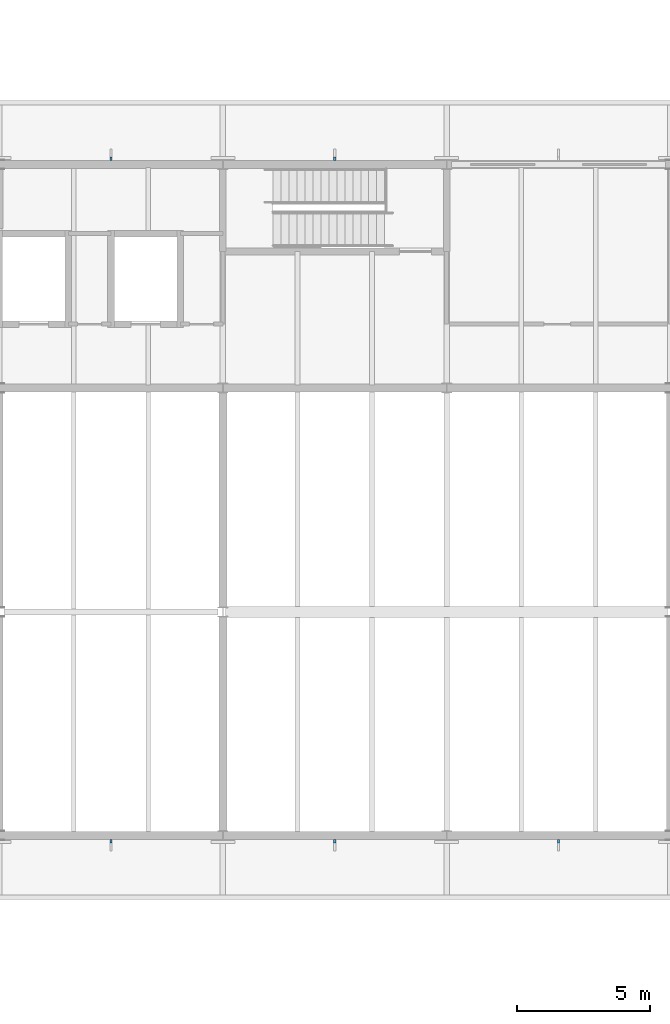
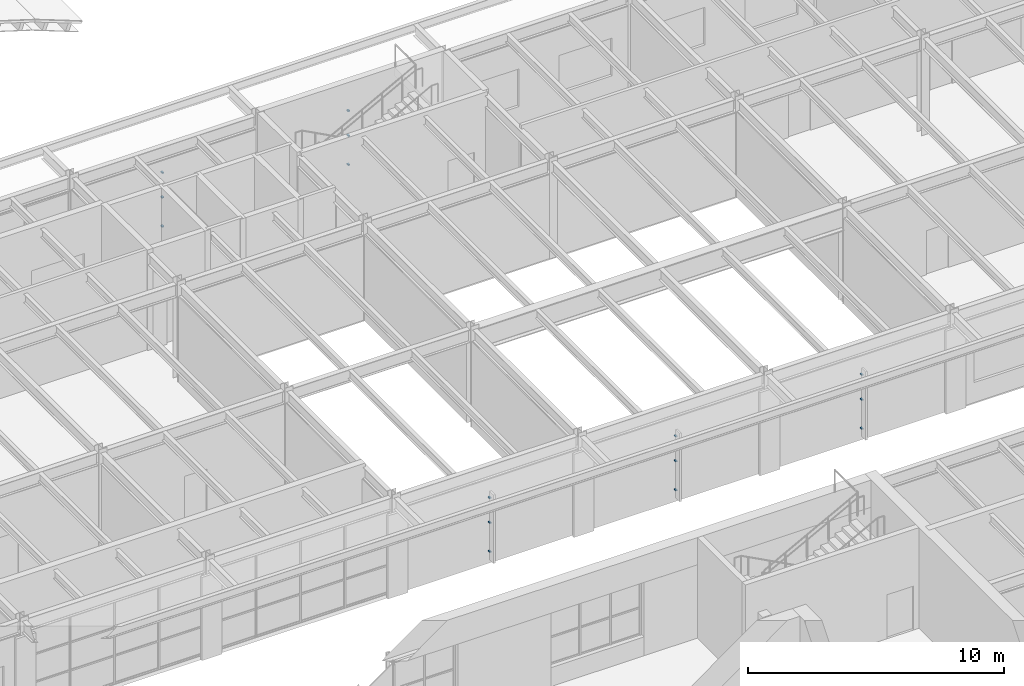
# One storey, part 99 of 116: 15 discrete accessories.
"""IFC4 building model written with IfcOpenShell, lengths in metres."""

from ifc_helpers import new_model, si_unit, direction, frame, origin, origin_2d, place, context, subcontext, project, spatial, rectangle, extrude, material, type_object, element, save


model = new_model("IFC4")

# Units and contexts
model_context = context("Model", 3, precision=1e-05, world=origin(), true_north=direction((0.0, 1.0)))
body_context = subcontext(model_context, "Body", "Model", "MODEL_VIEW")
ifc_project = project(units=[si_unit("LENGTHUNIT", "METRE"), si_unit("AREAUNIT", "SQUARE_METRE"), si_unit("VOLUMEUNIT", "CUBIC_METRE"), si_unit("PLANEANGLEUNIT", "RADIAN"), si_unit("MASSUNIT", "GRAM", prefix="KILO")], contexts=[model_context])

# Site, building, storey
site_placement = place(None, origin())
site = spatial("IfcSite", under=ifc_project, at=site_placement, CompositionType="ELEMENT")
building_placement = place(site_placement, origin())
building = spatial("IfcBuilding", under=site, at=building_placement, Name="Ljudholm Concert House", CompositionType="ELEMENT")
storey_placement = place(building_placement, frame((0.0, 0.0, 10.199951171875)))
storey = spatial("IfcBuildingStorey", under=building, at=storey_placement, Name="L02", CompositionType="ELEMENT", Elevation=10.199951171875)

# Discrete accessories
ifc_material = material(Name="Stainless steel bracket", Category="steel")
discrete_accessory_type = type_object("IfcDiscreteAccessoryType", Name="BRACKET 120", PredefinedType="BRACKET", material=ifc_material)
for number, where, z_axis, x_axis, name in (
    (1, (83.800048828125, 130.2099609375, 0.570068359375), (0.0, 0.0, 1.0), (0.0, 1.0, 0.0), "Fin bracket"),
    (2, (83.800048828125, 130.2099609375, 1.955078125), (0.0, 0.0, 1.0), (0.0, 1.0, 0.0), "Fin bracket"),
    (3, (83.800048828125, 130.2099609375, 3.14013671875), (0.0, 0.0, 1.0), (0.0, 1.0, 0.0), "Fin bracket"),
    (4, (92.199951171875, 130.2099609375, 0.570068359375), (0.0, 0.0, 1.0), (0.0, 1.0, 0.0), "Fin bracket"),
    (5, (92.199951171875, 130.2099609375, 1.955078125), (0.0, 0.0, 1.0), (0.0, 1.0, 0.0), "Fin bracket"),
    (6, (92.199951171875, 130.2099609375, 3.14013671875), (0.0, 0.0, 1.0), (0.0, 1.0, 0.0), "Fin bracket"),
    (7, (83.800048828125, 104.590087890625, 0.570068359375), (0.0, 0.0, 1.0), (0.0, -1.0, 0.0), "Fin bracket"),
    (8, (83.800048828125, 104.590087890625, 1.955078125), (0.0, 0.0, 1.0), (0.0, -1.0, 0.0), "Fin bracket"),
    (9, (83.800048828125, 104.590087890625, 3.14013671875), (0.0, 0.0, 1.0), (0.0, -1.0, 0.0), "Fin bracket"),
    (10, (92.199951171875, 104.590087890625, 0.570068359375), (0.0, 0.0, 1.0), (0.0, -1.0, 0.0), "Fin bracket"),
    (11, (92.199951171875, 104.590087890625, 1.955078125), (0.0, 0.0, 1.0), (0.0, -1.0, 0.0), "Fin bracket"),
    (12, (92.199951171875, 104.590087890625, 3.14013671875), (0.0, 0.0, 1.0), (0.0, -1.0, 0.0), "Fin bracket"),
    (13, (100.60009765625, 104.590087890625, 0.570068359375), (0.0, 0.0, 1.0), (0.0, -1.0, 0.0), "Fin bracket"),
    (14, (100.60009765625, 104.590087890625, 1.955078125), (0.0, 0.0, 1.0), (0.0, -1.0, 0.0), "Fin bracket"),
    (15, (100.60009765625, 104.590087890625, 3.14013671875), (0.0, 0.0, 1.0), (0.0, -1.0, 0.0), "Fin bracket"),
):
    element("IfcDiscreteAccessory", number, at=place(storey_placement, frame(where, z_axis=z_axis, x_axis=x_axis)), inside=storey, type_object=discrete_accessory_type, Name=name, PredefinedType="BRACKET", context=body_context, shape_type="SweptSolid", body=[
        extrude(rectangle(XDim=0.1201171875, YDim=0.080078125, at=origin_2d()), origin(), (0.0, 0.0, 1.0), 0.06005859375),
    ])

save(model, "model.ifc")
